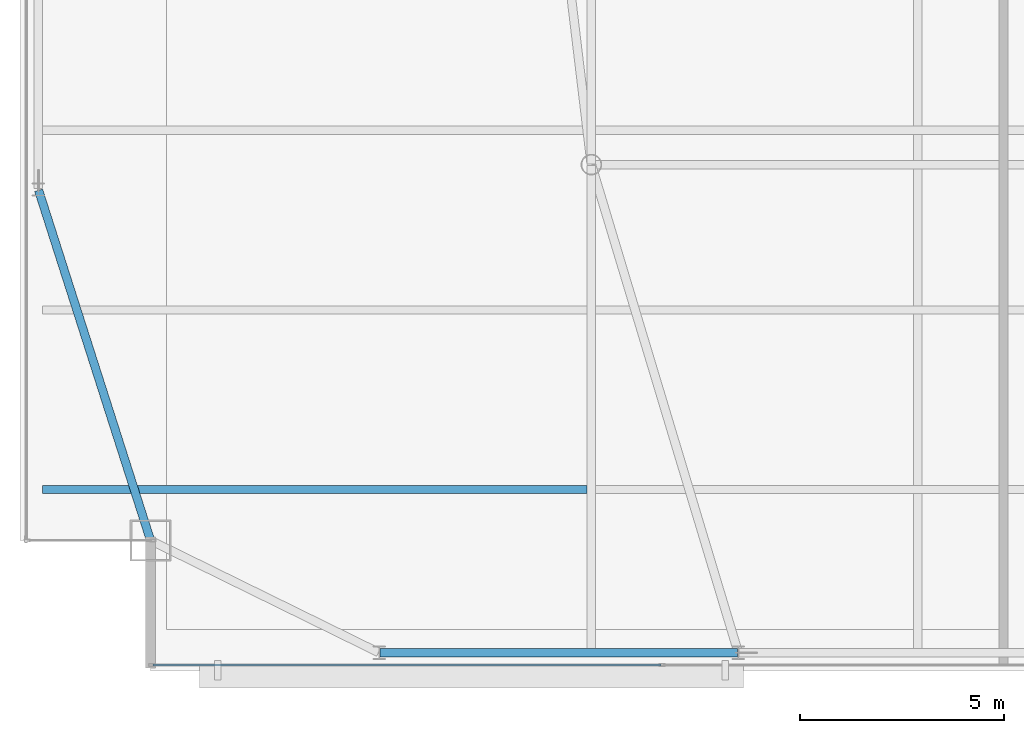
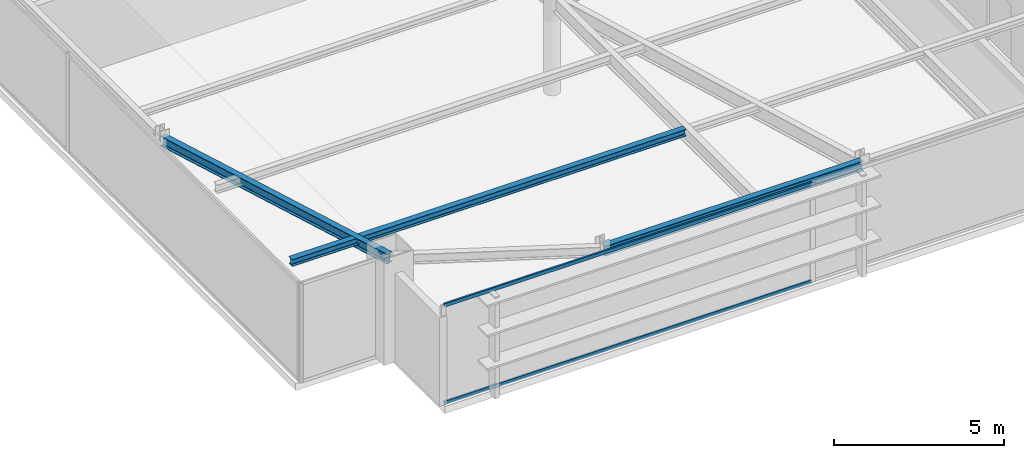
# One storey, part 5 of 24: 3 beams, 2 members, 1 element without a shape of its own.
"""IFC4 building model written with IfcOpenShell, lengths in metres."""

from ifc_helpers import new_model, si_unit, direction, frame, origin, origin_2d, place, context, subcontext, project, spatial, hollow_rectangle, i_section, extrude, source, transform, mapped, material, layer, layer_set, material_profile, profile_set, type_object, type_shapes, element, aggregate, save


model = new_model("IFC4")

# Units and contexts
model_context = context("Model", 3, precision=1e-05, world=origin(), true_north=direction((0.0, 1.0)))
body_context = subcontext(model_context, "Body", "Model", "MODEL_VIEW")
ifc_project = project(units=[si_unit("LENGTHUNIT", "METRE"), si_unit("AREAUNIT", "SQUARE_METRE"), si_unit("VOLUMEUNIT", "CUBIC_METRE"), si_unit("PLANEANGLEUNIT", "RADIAN"), si_unit("MASSUNIT", "GRAM", prefix="KILO")], contexts=[model_context])

# Site, building, storey
site_placement = place(None, origin())
site = spatial("IfcSite", under=ifc_project, at=site_placement, CompositionType="ELEMENT")
building_placement = place(site_placement, origin())
building = spatial("IfcBuilding", under=site, at=building_placement, Name="Varnel Quay Broadcast Tower", CompositionType="ELEMENT")
storey_placement = place(building_placement, frame((0.0, 0.0, 285.0)))
storey = spatial("IfcBuildingStorey", under=building, at=storey_placement, Name="L71", CompositionType="ELEMENT", Elevation=285.0)

# Beams
ifc_material_1 = material(Name="Structural Steel CSA G40.21 350W", Category="steel")
ifc_material_profile_1 = material_profile(ifc_material_1, i_section(OverallWidth=0.205078125, OverallDepth=0.35400390625, WebThickness=0.009521484375, FlangeThickness=0.016845703125, FilletRadius=0.012939453125, at=origin_2d()), Name="W360X79")
ifc_profile_set_1 = profile_set([ifc_material_profile_1], Name="Structural Steel CSA G40.21 350W")
beam_type_1 = type_object("IfcBeamType", Name="Beam_W360X79", PredefinedType="SPANDREL", material=ifc_profile_set_1)
shared_shape_1 = source(origin(), body_context, "Body", "SweptSolid", [
    extrude(i_section(OverallWidth=0.205078125, OverallDepth=0.35400390625, WebThickness=0.009521484375, FlangeThickness=0.016845703125, FilletRadius=0.012939453125, at=origin_2d()), origin(), (0.0, 0.0, 1.0), 8.760009765625),
])
beam_1_placement = place(storey_placement, frame((20.820068359375, 13.64990234375, 3.373046875), z_axis=(1.0, 0.0, 0.0), x_axis=(0.0, 1.0, 0.0)))
element("IfcBeam", 1, at=beam_1_placement, inside=storey, type_object=beam_type_1, Name="L71 South Spandrel TC-S1-TC-S2", PredefinedType="SPANDREL", context=body_context, shape_type="MappedRepresentation", body=[
    mapped(shared_shape_1, transform((0.0, 0.0, 0.0), x_axis=(1.0, 0.0, 0.0), y_axis=(0.0, 1.0, 0.0), z_axis=(0.0, 0.0, 1.0), scale=1.0)),
])
shared_shape_2 = source(origin(), body_context, "Body", "SweptSolid", [
    extrude(i_section(OverallWidth=0.205078125, OverallDepth=0.35400390625, WebThickness=0.009521484375, FlangeThickness=0.016845703125, FilletRadius=0.012939453125, at=origin_2d()), origin(), (0.0, 0.0, 1.0), 8.989013671875),
])
type_shapes(beam_type_1, [shared_shape_1, shared_shape_2])
beam_2_placement = place(storey_placement, frame((15.19384765625, 16.4189453125, 3.373046875), z_axis=(-0.304568770162, 0.952490348635, 0.0), x_axis=(-0.952490348635, -0.304568770162, 0.0)))
element("IfcBeam", 2, at=beam_2_placement, inside=storey, type_object=beam_type_1, Name="L71 West Spandrel MC-SW-TC-W1", PredefinedType="SPANDREL", context=body_context, shape_type="MappedRepresentation", body=[
    mapped(shared_shape_2, transform((0.0, 0.0, 0.0), x_axis=(1.0, 0.0, 0.0), y_axis=(0.0, 1.0, 0.0), z_axis=(0.0, 0.0, 1.0), scale=1.0)),
])
ifc_material_profile_2 = material_profile(ifc_material_1, i_section(OverallWidth=0.201904296875, OverallDepth=0.2470703125, WebThickness=0.00732421875, FlangeThickness=0.010986328125, FilletRadius=0.010986328125, at=origin_2d()), Name="W250X49")
ifc_profile_set_2 = profile_set([ifc_material_profile_2], Name="Structural Steel CSA G40.21 350W")
beam_type_2 = type_object("IfcBeamType", Name="Beam_W250X49", PredefinedType="JOIST", material=ifc_profile_set_2)
shared_shape_3 = source(origin(), body_context, "Body", "SweptSolid", [
    extrude(i_section(OverallWidth=0.201904296875, OverallDepth=0.2470703125, WebThickness=0.00732421875, FlangeThickness=0.010986328125, FilletRadius=0.010986328125, at=origin_2d()), origin(), (0.0, 0.0, 1.0), 13.351318359375),
])
type_shapes(beam_type_2, [shared_shape_3])
beam_3_placement = place(storey_placement, frame((12.547607421875, 17.64990234375, 3.426513671875), z_axis=(1.0, 0.0, 0.0), x_axis=(0.0, 1.0, 0.0)))
element("IfcBeam", 3, at=beam_3_placement, inside=storey, type_object=beam_type_2, Name="L71 West Floor Joist 1", PredefinedType="JOIST", context=body_context, shape_type="MappedRepresentation", body=[
    mapped(shared_shape_3, transform((0.0, 0.0, 0.0), x_axis=(1.0, 0.0, 0.0), y_axis=(0.0, 1.0, 0.0), z_axis=(0.0, 0.0, 1.0), scale=1.0)),
])

# Curtain wall, members
ifc_material_2 = material(Name="Anodised Bronze Aluminium 6063-T6", Category="aluminium")
ifc_layer = layer(ifc_material_2, 0.18994140625, Name="Anodised Bronze Aluminium 6063-T6")
ifc_layer_set = layer_set([ifc_layer], Name="Anodised Bronze Aluminium 6063-T6")
curtain_wall_type = type_object("IfcCurtainWallType", Name="CW_UpperTower", PredefinedType="NOTDEFINED", material=ifc_layer_set)
curtain_wall_placement = place(storey_placement, origin())
curtain_wall = element("IfcCurtainWall", 4, at=curtain_wall_placement, inside=storey, type_object=curtain_wall_type, Name="L71 South Unitised Curtain Wall 1", PredefinedType="NOTDEFINED")
ifc_material_profile_3 = material_profile(ifc_material_2, hollow_rectangle(XDim=0.06005859375, YDim=0.125, WallThickness=0.0029296875, at=origin_2d()), Name="ALU60X125X3")
ifc_profile_set_3 = profile_set([ifc_material_profile_3], Name="Anodised Bronze Aluminium 6063-T6")
member_type = type_object("IfcMemberType", Name="Tran_CWS-03", PredefinedType="USERDEFINED", material=ifc_profile_set_3)
shared_shape_4 = source(origin(), body_context, "Body", "SweptSolid", [
    extrude(hollow_rectangle(XDim=0.06005859375, YDim=0.125, WallThickness=0.0029296875, at=origin_2d()), origin(), (0.0, 0.0, 1.0), 12.43603515625),
])
type_shapes(member_type, [shared_shape_4])
member_1_placement = place(storey_placement, frame((15.264892578125, 13.35009765625, 0.030029296875), z_axis=(1.0, 0.0, 0.0), x_axis=(0.0, 1.0, 0.0)))
member_1 = element("IfcMember", 5, at=member_1_placement, type_object=member_type, Name="CWS-03 transom 1.1", ObjectType="TRANSOM", PredefinedType="USERDEFINED", context=body_context, shape_type="MappedRepresentation", body=[
    mapped(shared_shape_4, transform((0.0, 0.0, 0.0), x_axis=(1.0, 0.0, 0.0), y_axis=(0.0, 1.0, 0.0), z_axis=(0.0, 0.0, 1.0), scale=1.0)),
])
member_2_placement = place(storey_placement, frame((15.264892578125, 13.35009765625, 3.52001953125), z_axis=(1.0, 0.0, 0.0), x_axis=(0.0, 1.0, 0.0)))
member_2 = element("IfcMember", 6, at=member_2_placement, type_object=member_type, Name="CWS-03 transom 1.2", ObjectType="TRANSOM", PredefinedType="USERDEFINED", context=body_context, shape_type="MappedRepresentation", body=[
    mapped(shared_shape_4, transform((0.0, 0.0, 0.0), x_axis=(1.0, 0.0, 0.0), y_axis=(0.0, 1.0, 0.0), z_axis=(0.0, 0.0, 1.0), scale=1.0)),
])
aggregate(curtain_wall, [member_1, member_2])

save(model, "model.ifc")
